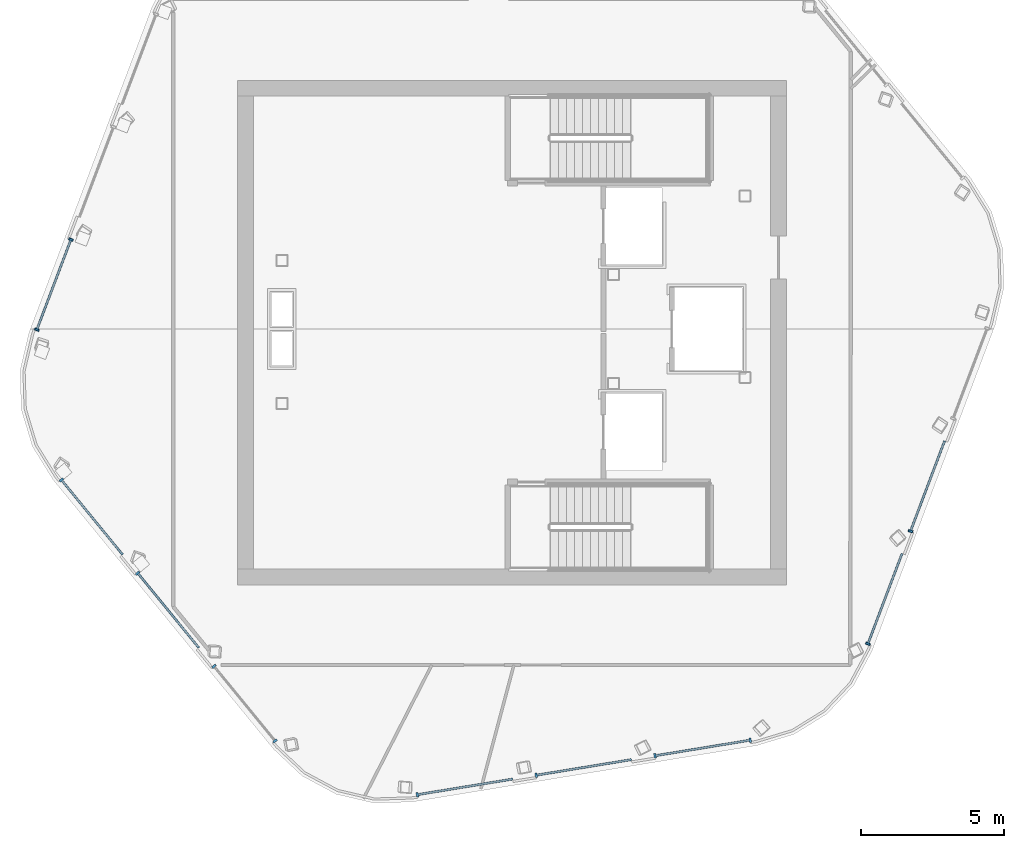
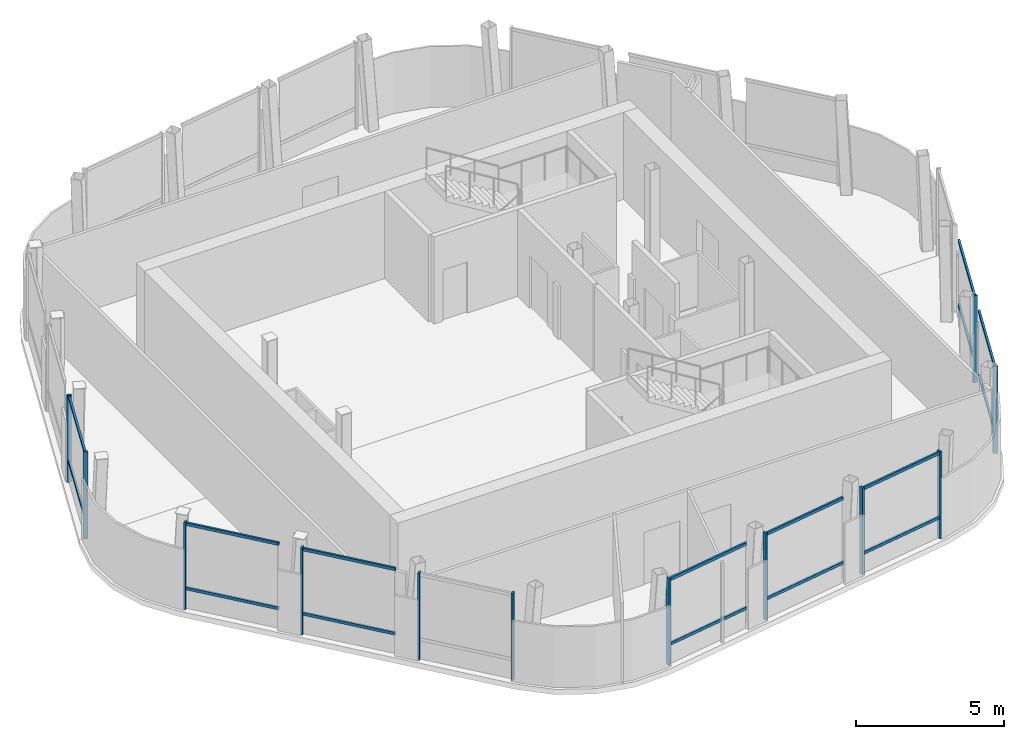
# One storey, part 2 of 8: 28 members, 4 elements without a shape of their own.
"""IFC4 building model written with IfcOpenShell, lengths in metres."""

from ifc_helpers import new_model, si_unit, direction, frame, origin, origin_2d, place, context, subcontext, project, spatial, rectangle, extrude, material, layer, layer_set, material_profile, profile_set, type_object, element, aggregate, save


model = new_model("IFC4")

# Units and contexts
model_context = context("Model", 3, precision=1e-05, world=origin(), true_north=direction((0.0, 1.0)))
body_context = subcontext(model_context, "Body", "Model", "MODEL_VIEW")
ifc_project = project(units=[si_unit("LENGTHUNIT", "METRE"), si_unit("AREAUNIT", "SQUARE_METRE"), si_unit("VOLUMEUNIT", "CUBIC_METRE"), si_unit("PLANEANGLEUNIT", "RADIAN"), si_unit("MASSUNIT", "GRAM", prefix="KILO")], contexts=[model_context])

# Site, building, storey
site_placement = place(None, origin())
site = spatial("IfcSite", under=ifc_project, at=site_placement, CompositionType="ELEMENT")
building_placement = place(site_placement, origin())
building = spatial("IfcBuilding", under=site, at=building_placement, Name="Valkerne Bourse Tower", CompositionType="ELEMENT")
storey_placement = place(building_placement, frame((0.0, 0.0, 323.0)))
storey = spatial("IfcBuildingStorey", under=building, at=storey_placement, Name="L82", CompositionType="ELEMENT", Elevation=323.0)

# Curtain wall, members
ifc_material = material(Name="Aluminium AA 6063-T6", Category="aluminium")
ifc_layer = layer(ifc_material, 0.25)
ifc_layer_set = layer_set([ifc_layer], Name="Aluminium AA 6063-T6")
curtain_wall_type = type_object("IfcCurtainWallType", Name="CW-06", PredefinedType="NOTDEFINED", material=ifc_layer_set)
curtain_wall_1_placement = place(storey_placement, origin())
curtain_wall_1 = element("IfcCurtainWall", 1, at=curtain_wall_1_placement, inside=storey, type_object=curtain_wall_type, Name="L82 Hexagonal Stick Curtain Wall Face 2", PredefinedType="NOTDEFINED")
ifc_material_profile_1 = material_profile(ifc_material, rectangle(XDim=0.074951171875, YDim=0.159912109375, at=origin_2d()), Name="CWM-75X160")
ifc_profile_set_1 = profile_set([ifc_material_profile_1], Name="Aluminium AA 6063-T6")
member_type_1 = type_object("IfcMemberType", Name="CW-MUL-160X75", PredefinedType="MULLION", material=ifc_profile_set_1)
member_1_placement = place(storey_placement, frame((31.37158203125, 30.129638671875, 0.0), z_axis=(0.0, 0.0, 1.0), x_axis=(-0.353466591137, -0.935447149202, 0.0)))
member_1 = element("IfcMember", 2, at=member_1_placement, type_object=member_type_1, Name="CW-L82-F2 Jamb Mullion 02A", PredefinedType="MULLION", context=body_context, shape_type="SweptSolid", body=[
    extrude(rectangle(XDim=0.074951171875, YDim=0.159912109375, at=origin_2d()), origin(), (0.0, 0.0, 1.0), 3.580078125),
])
member_2_placement = place(storey_placement, frame((30.1796875, 26.975341796875, 0.0), z_axis=(0.0, 0.0, 1.0), x_axis=(-0.353466591137, -0.935447149202, 0.0)))
member_2 = element("IfcMember", 3, at=member_2_placement, type_object=member_type_1, Name="CW-L82-F2 Jamb Mullion 02B", PredefinedType="MULLION", context=body_context, shape_type="SweptSolid", body=[
    extrude(rectangle(XDim=0.074951171875, YDim=0.159912109375, at=origin_2d()), origin(), (0.0, 0.0, 1.0), 3.580078125),
])

curtain_wall_2_placement = place(storey_placement, origin())
curtain_wall_2 = element("IfcCurtainWall", 4, at=curtain_wall_2_placement, inside=storey, type_object=curtain_wall_type, Name="L82 Hexagonal Stick Curtain Wall Face 3", PredefinedType="NOTDEFINED")
member_3_placement = place(storey_placement, frame((31.039794921875, 21.72216796875, 0.0), z_axis=(0.0, 0.0, 1.0), x_axis=(0.633382580386, -0.773838811939, 0.0)))
member_3 = element("IfcMember", 5, at=member_3_placement, type_object=member_type_1, Name="CW-L82-F3 Jamb Mullion 00A", PredefinedType="MULLION", context=body_context, shape_type="SweptSolid", body=[
    extrude(rectangle(XDim=0.074951171875, YDim=0.159912109375, at=origin_2d()), origin(), (0.0, 0.0, 1.0), 3.580078125),
])
member_4_placement = place(storey_placement, frame((33.70751953125, 18.462646484375, 0.0), z_axis=(0.0, 0.0, 1.0), x_axis=(0.633382580386, -0.773838811939, 0.0)))
member_4 = element("IfcMember", 6, at=member_4_placement, type_object=member_type_1, Name="CW-L82-F3 Jamb Mullion 01A", PredefinedType="MULLION", context=body_context, shape_type="SweptSolid", body=[
    extrude(rectangle(XDim=0.074951171875, YDim=0.159912109375, at=origin_2d()), origin(), (0.0, 0.0, 1.0), 3.580078125),
])
member_5_placement = place(storey_placement, frame((36.37548828125, 15.203369140625, 0.0), z_axis=(0.0, 0.0, 1.0), x_axis=(0.633382580386, -0.773838811939, 0.0)))
member_5 = element("IfcMember", 7, at=member_5_placement, type_object=member_type_1, Name="CW-L82-F3 Jamb Mullion 02A", PredefinedType="MULLION", context=body_context, shape_type="SweptSolid", body=[
    extrude(rectangle(XDim=0.074951171875, YDim=0.159912109375, at=origin_2d()), origin(), (0.0, 0.0, 1.0), 3.580078125),
])
member_6_placement = place(storey_placement, frame((38.51123046875, 12.593994140625, 0.0), z_axis=(0.0, 0.0, 1.0), x_axis=(0.633382580386, -0.773838811939, 0.0)))
member_6 = element("IfcMember", 8, at=member_6_placement, type_object=member_type_1, Name="CW-L82-F3 Jamb Mullion 02B", PredefinedType="MULLION", context=body_context, shape_type="SweptSolid", body=[
    extrude(rectangle(XDim=0.074951171875, YDim=0.159912109375, at=origin_2d()), origin(), (0.0, 0.0, 1.0), 3.580078125),
])

curtain_wall_3_placement = place(storey_placement, origin())
curtain_wall_3 = element("IfcCurtainWall", 9, at=curtain_wall_3_placement, inside=storey, type_object=curtain_wall_type, Name="L82 Hexagonal Stick Curtain Wall Face 4", PredefinedType="NOTDEFINED")
member_7_placement = place(storey_placement, frame((43.490478515625, 10.71240234375, 0.0), z_axis=(0.0, 0.0, 1.0), x_axis=(0.98685517608, 0.161607120647, 0.0)))
member_7 = element("IfcMember", 10, at=member_7_placement, type_object=member_type_1, Name="CW-L82-F4 Jamb Mullion 00A", PredefinedType="MULLION", context=body_context, shape_type="SweptSolid", body=[
    extrude(rectangle(XDim=0.074951171875, YDim=0.159912109375, at=origin_2d()), origin(), (0.0, 0.0, 1.0), 3.580078125),
])
member_8_placement = place(storey_placement, frame((47.647216796875, 11.39306640625, 0.0), z_axis=(0.0, 0.0, 1.0), x_axis=(0.986854556011, 0.161610907056, 0.0)))
member_8 = element("IfcMember", 11, at=member_8_placement, type_object=member_type_1, Name="CW-L82-F4 Jamb Mullion 01A", PredefinedType="MULLION", context=body_context, shape_type="SweptSolid", body=[
    extrude(rectangle(XDim=0.074951171875, YDim=0.159912109375, at=origin_2d()), origin(), (0.0, 0.0, 1.0), 3.580078125),
])
member_9_placement = place(storey_placement, frame((51.803955078125, 12.07373046875, 0.0), z_axis=(0.0, 0.0, 1.0), x_axis=(0.986858342261, 0.161587785149, 0.0)))
member_9 = element("IfcMember", 12, at=member_9_placement, type_object=member_type_1, Name="CW-L82-F4 Jamb Mullion 02A", PredefinedType="MULLION", context=body_context, shape_type="SweptSolid", body=[
    extrude(rectangle(XDim=0.074951171875, YDim=0.159912109375, at=origin_2d()), origin(), (0.0, 0.0, 1.0), 3.580078125),
])
member_10_placement = place(storey_placement, frame((55.131591796875, 12.61865234375, 0.0), z_axis=(0.0, 0.0, 1.0), x_axis=(0.986858342261, 0.161587785149, 0.0)))
member_10 = element("IfcMember", 13, at=member_10_placement, type_object=member_type_1, Name="CW-L82-F4 Jamb Mullion 02B", PredefinedType="MULLION", context=body_context, shape_type="SweptSolid", body=[
    extrude(rectangle(XDim=0.074951171875, YDim=0.159912109375, at=origin_2d()), origin(), (0.0, 0.0, 1.0), 3.580078125),
])

curtain_wall_4_placement = place(storey_placement, origin())
curtain_wall_4 = element("IfcCurtainWall", 14, at=curtain_wall_4_placement, inside=storey, type_object=curtain_wall_type, Name="L82 Hexagonal Stick Curtain Wall Face 5", PredefinedType="NOTDEFINED")
member_11_placement = place(storey_placement, frame((59.250732421875, 15.990234375, 0.0), z_axis=(0.0, 0.0, 1.0), x_axis=(0.353487366331, 0.935439298856, 0.0)))
member_11 = element("IfcMember", 15, at=member_11_placement, type_object=member_type_1, Name="CW-L82-F5 Jamb Mullion 00A", PredefinedType="MULLION", context=body_context, shape_type="SweptSolid", body=[
    extrude(rectangle(XDim=0.074951171875, YDim=0.159912109375, at=origin_2d()), origin(), (0.0, 0.0, 1.0), 3.580078125),
])
member_12_placement = place(storey_placement, frame((60.73974609375, 19.930419921875, 0.0), z_axis=(0.0, 0.0, 1.0), x_axis=(0.353466591137, 0.935447149202, 0.0)))
member_12 = element("IfcMember", 16, at=member_12_placement, type_object=member_type_1, Name="CW-L82-F5 Jamb Mullion 01A", PredefinedType="MULLION", context=body_context, shape_type="SweptSolid", body=[
    extrude(rectangle(XDim=0.074951171875, YDim=0.159912109375, at=origin_2d()), origin(), (0.0, 0.0, 1.0), 3.580078125),
])

# Member
ifc_material_profile_2 = material_profile(ifc_material, rectangle(XDim=0.074951171875, YDim=0.1201171875, at=origin_2d()), Name="CWT-75X120")
ifc_profile_set_2 = profile_set([ifc_material_profile_2], Name="Aluminium AA 6063-T6")
member_type_2 = type_object("IfcMemberType", Name="CW-TRN-120X75", PredefinedType="USERDEFINED", material=ifc_profile_set_2)
member_13_placement = place(storey_placement, frame((31.37158203125, 30.129638671875, 0.85009765625), z_axis=(-0.35347096812, -0.93544549531, 0.0), x_axis=(0.93544549531, -0.35347096812, 0.0)))
member_13 = element("IfcMember", 17, at=member_13_placement, type_object=member_type_2, Name="CW-L82-F2 Bay Transom 02-1", ObjectType="TRANSOM", PredefinedType="USERDEFINED", context=body_context, shape_type="SweptSolid", body=[
    extrude(rectangle(XDim=0.074951171875, YDim=0.1201171875, at=origin_2d()), origin(), (0.0, 0.0, 1.0), 3.3720703125),
])

member_14_placement = place(storey_placement, frame((31.37158203125, 30.129638671875, 3.5), z_axis=(-0.35347096812, -0.93544549531, 0.0), x_axis=(0.93544549531, -0.35347096812, 0.0)))
member_14 = element("IfcMember", 18, at=member_14_placement, type_object=member_type_2, Name="CW-L82-F2 Bay Transom 02-2", ObjectType="TRANSOM", PredefinedType="USERDEFINED", context=body_context, shape_type="SweptSolid", body=[
    extrude(rectangle(XDim=0.074951171875, YDim=0.1201171875, at=origin_2d()), origin(), (0.0, 0.0, 1.0), 3.3720703125),
])

aggregate(curtain_wall_1, [member_1, member_2, member_13, member_14])

member_15_placement = place(storey_placement, frame((31.039794921875, 21.72216796875, 0.85009765625), z_axis=(0.633379717776, -0.77384115496, 0.0), x_axis=(0.77384115496, 0.633379717776, 0.0)))
member_15 = element("IfcMember", 19, at=member_15_placement, type_object=member_type_2, Name="CW-L82-F3 Bay Transom 00-1", ObjectType="TRANSOM", PredefinedType="USERDEFINED", context=body_context, shape_type="SweptSolid", body=[
    extrude(rectangle(XDim=0.074951171875, YDim=0.1201171875, at=origin_2d()), origin(), (0.0, 0.0, 1.0), 3.3720703125),
])

member_16_placement = place(storey_placement, frame((31.039794921875, 21.72216796875, 3.5), z_axis=(0.633379717776, -0.77384115496, 0.0), x_axis=(0.77384115496, 0.633379717776, 0.0)))
member_16 = element("IfcMember", 20, at=member_16_placement, type_object=member_type_2, Name="CW-L82-F3 Bay Transom 00-2", ObjectType="TRANSOM", PredefinedType="USERDEFINED", context=body_context, shape_type="SweptSolid", body=[
    extrude(rectangle(XDim=0.074951171875, YDim=0.1201171875, at=origin_2d()), origin(), (0.0, 0.0, 1.0), 3.3720703125),
])

member_17_placement = place(storey_placement, frame((33.70751953125, 18.462646484375, 0.85009765625), z_axis=(0.633458559439, -0.773776617296, 0.0), x_axis=(0.773776617296, 0.633458559439, 0.0)))
member_17 = element("IfcMember", 21, at=member_17_placement, type_object=member_type_2, Name="CW-L82-F3 Bay Transom 01-1", ObjectType="TRANSOM", PredefinedType="USERDEFINED", context=body_context, shape_type="SweptSolid", body=[
    extrude(rectangle(XDim=0.074951171875, YDim=0.1201171875, at=origin_2d()), origin(), (0.0, 0.0, 1.0), 3.371826171875),
])

member_18_placement = place(storey_placement, frame((33.70751953125, 18.462646484375, 3.5), z_axis=(0.633458559439, -0.773776617296, 0.0), x_axis=(0.773776617296, 0.633458559439, 0.0)))
member_18 = element("IfcMember", 22, at=member_18_placement, type_object=member_type_2, Name="CW-L82-F3 Bay Transom 01-2", ObjectType="TRANSOM", PredefinedType="USERDEFINED", context=body_context, shape_type="SweptSolid", body=[
    extrude(rectangle(XDim=0.074951171875, YDim=0.1201171875, at=origin_2d()), origin(), (0.0, 0.0, 1.0), 3.371826171875),
])

aggregate(curtain_wall_2, [member_3, member_15, member_16, member_4, member_17, member_18, member_5, member_6])

member_19_placement = place(storey_placement, frame((43.490478515625, 10.71240234375, 0.85009765625), z_axis=(0.986857585108, 0.161592409211, 0.0), x_axis=(-0.161592409211, 0.986857585108, 0.0)))
member_19 = element("IfcMember", 23, at=member_19_placement, type_object=member_type_2, Name="CW-L82-F4 Bay Transom 00-1", ObjectType="TRANSOM", PredefinedType="USERDEFINED", context=body_context, shape_type="SweptSolid", body=[
    extrude(rectangle(XDim=0.074951171875, YDim=0.1201171875, at=origin_2d()), origin(), (0.0, 0.0, 1.0), 3.372314453125),
])

member_20_placement = place(storey_placement, frame((43.490478515625, 10.71240234375, 3.5), z_axis=(0.986857585108, 0.161592409211, 0.0), x_axis=(-0.161592409211, 0.986857585108, 0.0)))
member_20 = element("IfcMember", 24, at=member_20_placement, type_object=member_type_2, Name="CW-L82-F4 Bay Transom 00-2", ObjectType="TRANSOM", PredefinedType="USERDEFINED", context=body_context, shape_type="SweptSolid", body=[
    extrude(rectangle(XDim=0.074951171875, YDim=0.1201171875, at=origin_2d()), origin(), (0.0, 0.0, 1.0), 3.372314453125),
])

member_21_placement = place(storey_placement, frame((47.647216796875, 11.39306640625, 0.85009765625), z_axis=(0.986857585108, 0.161592409211, 0.0), x_axis=(-0.161592409211, 0.986857585108, 0.0)))
member_21 = element("IfcMember", 25, at=member_21_placement, type_object=member_type_2, Name="CW-L82-F4 Bay Transom 01-1", ObjectType="TRANSOM", PredefinedType="USERDEFINED", context=body_context, shape_type="SweptSolid", body=[
    extrude(rectangle(XDim=0.074951171875, YDim=0.1201171875, at=origin_2d()), origin(), (0.0, 0.0, 1.0), 3.372314453125),
])

member_22_placement = place(storey_placement, frame((47.647216796875, 11.39306640625, 3.5), z_axis=(0.986857585108, 0.161592409211, 0.0), x_axis=(-0.161592409211, 0.986857585108, 0.0)))
member_22 = element("IfcMember", 26, at=member_22_placement, type_object=member_type_2, Name="CW-L82-F4 Bay Transom 01-2", ObjectType="TRANSOM", PredefinedType="USERDEFINED", context=body_context, shape_type="SweptSolid", body=[
    extrude(rectangle(XDim=0.074951171875, YDim=0.1201171875, at=origin_2d()), origin(), (0.0, 0.0, 1.0), 3.372314453125),
])

member_23_placement = place(storey_placement, frame((51.803955078125, 12.07373046875, 0.85009765625), z_axis=(0.98685569444, 0.161603955245, 0.0), x_axis=(-0.161603955245, 0.98685569444, 0.0)))
member_23 = element("IfcMember", 27, at=member_23_placement, type_object=member_type_2, Name="CW-L82-F4 Bay Transom 02-1", ObjectType="TRANSOM", PredefinedType="USERDEFINED", context=body_context, shape_type="SweptSolid", body=[
    extrude(rectangle(XDim=0.074951171875, YDim=0.1201171875, at=origin_2d()), origin(), (0.0, 0.0, 1.0), 3.3720703125),
])

member_24_placement = place(storey_placement, frame((51.803955078125, 12.07373046875, 3.5), z_axis=(0.98685569444, 0.161603955245, 0.0), x_axis=(-0.161603955245, 0.98685569444, 0.0)))
member_24 = element("IfcMember", 28, at=member_24_placement, type_object=member_type_2, Name="CW-L82-F4 Bay Transom 02-2", ObjectType="TRANSOM", PredefinedType="USERDEFINED", context=body_context, shape_type="SweptSolid", body=[
    extrude(rectangle(XDim=0.074951171875, YDim=0.1201171875, at=origin_2d()), origin(), (0.0, 0.0, 1.0), 3.3720703125),
])

aggregate(curtain_wall_3, [member_7, member_19, member_20, member_8, member_21, member_22, member_9, member_10, member_23, member_24])

member_25_placement = place(storey_placement, frame((59.250732421875, 15.990234375, 0.85009765625), z_axis=(0.353534322446, 0.935421553554, 0.0), x_axis=(-0.935421553554, 0.353534322446, 0.0)))
member_25 = element("IfcMember", 29, at=member_25_placement, type_object=member_type_2, Name="CW-L82-F5 Bay Transom 00-1", ObjectType="TRANSOM", PredefinedType="USERDEFINED", context=body_context, shape_type="SweptSolid", body=[
    extrude(rectangle(XDim=0.074951171875, YDim=0.1201171875, at=origin_2d()), origin(), (0.0, 0.0, 1.0), 3.3720703125),
])

member_26_placement = place(storey_placement, frame((59.250732421875, 15.990234375, 3.5), z_axis=(0.353534322446, 0.935421553554, 0.0), x_axis=(-0.935421553554, 0.353534322446, 0.0)))
member_26 = element("IfcMember", 30, at=member_26_placement, type_object=member_type_2, Name="CW-L82-F5 Bay Transom 00-2", ObjectType="TRANSOM", PredefinedType="USERDEFINED", context=body_context, shape_type="SweptSolid", body=[
    extrude(rectangle(XDim=0.074951171875, YDim=0.1201171875, at=origin_2d()), origin(), (0.0, 0.0, 1.0), 3.3720703125),
])

member_27_placement = place(storey_placement, frame((60.73974609375, 19.930419921875, 0.85009765625), z_axis=(0.35347096812, 0.93544549531, 0.0), x_axis=(-0.93544549531, 0.35347096812, 0.0)))
member_27 = element("IfcMember", 31, at=member_27_placement, type_object=member_type_2, Name="CW-L82-F5 Bay Transom 01-1", ObjectType="TRANSOM", PredefinedType="USERDEFINED", context=body_context, shape_type="SweptSolid", body=[
    extrude(rectangle(XDim=0.074951171875, YDim=0.1201171875, at=origin_2d()), origin(), (0.0, 0.0, 1.0), 3.3720703125),
])

member_28_placement = place(storey_placement, frame((60.73974609375, 19.930419921875, 3.5), z_axis=(0.35347096812, 0.93544549531, 0.0), x_axis=(-0.93544549531, 0.35347096812, 0.0)))
member_28 = element("IfcMember", 32, at=member_28_placement, type_object=member_type_2, Name="CW-L82-F5 Bay Transom 01-2", ObjectType="TRANSOM", PredefinedType="USERDEFINED", context=body_context, shape_type="SweptSolid", body=[
    extrude(rectangle(XDim=0.074951171875, YDim=0.1201171875, at=origin_2d()), origin(), (0.0, 0.0, 1.0), 3.3720703125),
])

aggregate(curtain_wall_4, [member_11, member_25, member_26, member_12, member_27, member_28])

save(model, "model.ifc")
